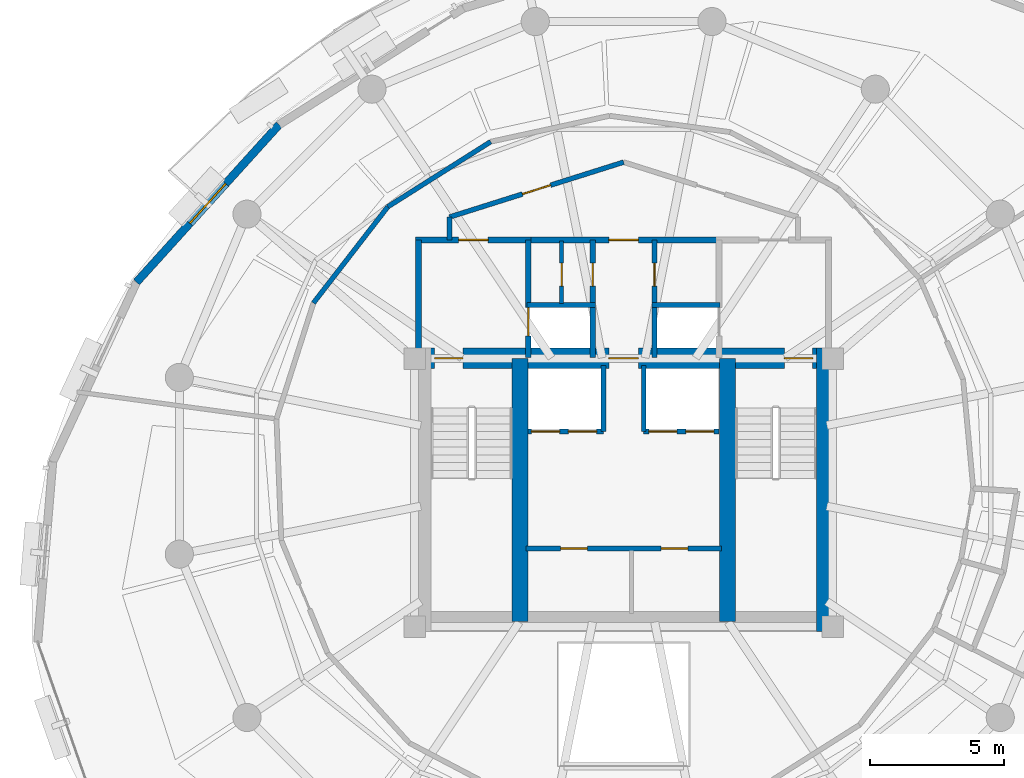
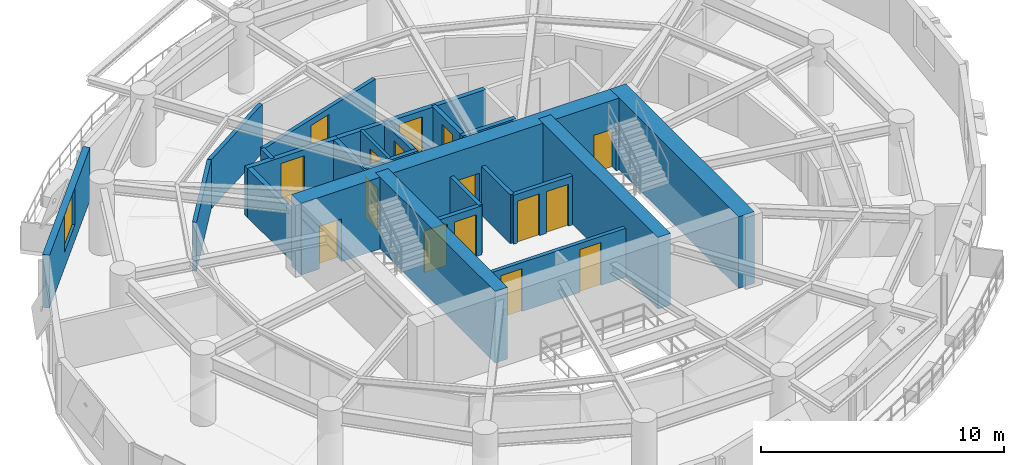
# One storey, part 8 of 12: 23 walls, 16 doors, 1 window, 17 openings.
"""IFC4 building model written with IfcOpenShell, lengths in metres."""

import ifcopenshell
import ifcopenshell.guid

model = None  # the IFC model being written
_history = None  # IfcOwnerHistory: only IFC2X3 demands one
_inside = {}  # id of a spatial element -> (the spatial element, [elements in it])
_under = {}  # id of a project, library or spatial element -> (it, [spatial elements below it])
_declared = {}  # id of a project -> (the project, [libraries it declares])
_typed = {}  # id of a type object -> (the type object, [elements of that type])
_made_of = {}  # id of a material, layer set ... -> (it, [elements and type objects made of it])


def new_model(schema):
    """Start an empty IFC model of exactly this schema.

    Asked for "IFC4X3", IfcOpenShell would pick the latest addendum, in which some entities
    have other attributes; the version numbers below select the first issue.
    IFC2X3 requires an IfcOwnerHistory on every rooted entity: one is made here for all.
    """
    global model, _history
    if schema == "IFC4X3":
        model = ifcopenshell.file(schema_version=(4, 3, 0, 0))
    else:
        model = ifcopenshell.file(schema=schema)
    _inside.clear()
    _under.clear()
    _declared.clear()
    _typed.clear()
    _made_of.clear()
    _history = None
    if model.schema == "IFC2X3":
        org = make("IfcOrganization", Name="unknown")
        user = make(
            "IfcPersonAndOrganization",
            ThePerson=make("IfcPerson", FamilyName="unknown"),
            TheOrganization=org,
        )
        app = make(
            "IfcApplication",
            ApplicationDeveloper=org,
            Version="unknown",
            ApplicationFullName="unknown",
            ApplicationIdentifier="unknown",
        )
        _history = make(
            "IfcOwnerHistory",
            OwningUser=user,
            OwningApplication=app,
            ChangeAction="ADDED",
            CreationDate=0,
        )
    return model


def make(cls, **values):
    """One entity of the class cls with the attributes given. An attribute that is None is left unset."""
    return model.create_entity(
        cls, **{name: value for name, value in values.items() if value is not None}
    )


def rooted(cls, **values):
    """An entity with a GlobalId (a new one), such as an element, a storey or a relation."""
    return make(cls, GlobalId=ifcopenshell.guid.new(), OwnerHistory=_history, **values)


def si_unit(unit_type, name, prefix=None):
    """IfcSIUnit, for example si_unit("LENGTHUNIT", "METRE", prefix="MILLI")."""
    return make("IfcSIUnit", UnitType=unit_type, Prefix=prefix, Name=name)


def assignment(units):
    """IfcUnitAssignment: the units of a project."""
    return None if units is None else make("IfcUnitAssignment", Units=units)


def point(xyz):
    """IfcCartesianPoint."""
    return None if xyz is None else make("IfcCartesianPoint", Coordinates=xyz)


def direction(xyz):
    """IfcDirection."""
    return None if xyz is None else make("IfcDirection", DirectionRatios=xyz)


def frame(location, z_axis=None, x_axis=None):
    """IfcAxis2Placement3D, a coordinate frame: its origin and axes. An axis left out is left unset."""
    return make(
        "IfcAxis2Placement3D",
        Location=point(location),
        Axis=direction(z_axis),
        RefDirection=direction(x_axis),
    )


def frame_2d(location, x_axis=None):
    """IfcAxis2Placement2D, a coordinate frame in the plane: its origin and x axis."""
    return make(
        "IfcAxis2Placement2D", Location=point(location), RefDirection=direction(x_axis)
    )


def origin():
    """The frame at (0, 0, 0) with its axes left unset."""
    return frame((0.0, 0.0, 0.0))


def place(relative_to, where):
    """IfcLocalPlacement: puts the frame where relative to a parent placement (None: the world)."""
    return make(
        "IfcLocalPlacement", PlacementRelTo=relative_to, RelativePlacement=where
    )


def context(
    kind, dimensions, precision=None, world=None, true_north=None, identifier=None
):
    """IfcGeometricRepresentationContext, for example the 3D "Model" context."""
    return make(
        "IfcGeometricRepresentationContext",
        ContextIdentifier=identifier,
        ContextType=kind,
        CoordinateSpaceDimension=dimensions,
        Precision=precision,
        WorldCoordinateSystem=world,
        TrueNorth=true_north,
    )


def subcontext(parent, identifier, kind, view, scale=None):
    """IfcGeometricRepresentationSubContext, for example "Body" below "Model"."""
    return make(
        "IfcGeometricRepresentationSubContext",
        ContextIdentifier=identifier,
        ContextType=kind,
        ParentContext=parent,
        TargetScale=scale,
        TargetView=view,
    )


def project(units=None, contexts=None):
    """IfcProject with its units and contexts."""
    return rooted(
        "IfcProject",
        Name="project",
        RepresentationContexts=contexts,
        UnitsInContext=assignment(units),
    )


def spatial(cls, under=None, at=None, **own):
    """A site, building, storey or space (cls), placed at a placement, below another one or the project."""
    s = rooted(cls, ObjectPlacement=at, **own)
    if under is not None:
        _under.setdefault(under.id(), (under, []))[1].append(s)
    return s


def profile(cls, at=None, kind="AREA", **sizes):
    """A parametric profile (cls). Its sizes go by their IFC names, for example OverallWidth=200.0."""
    return make(cls, ProfileType=kind, Position=at, **sizes)


def rectangle(**sizes):
    """IfcRectangleProfileDef."""
    return profile("IfcRectangleProfileDef", **sizes)


def extrude(swept, where, along, depth):
    """IfcExtrudedAreaSolid: the profile swept, set in the frame where, extruded along a direction by depth."""
    return make(
        "IfcExtrudedAreaSolid",
        SweptArea=swept,
        Position=where,
        ExtrudedDirection=direction(along),
        Depth=depth,
    )


def shape(context_of_items, identifier, shape_type, items):
    """IfcShapeRepresentation: the items that make up one representation, for example the "Body"."""
    return make(
        "IfcShapeRepresentation",
        ContextOfItems=context_of_items,
        RepresentationIdentifier=identifier,
        RepresentationType=shape_type,
        Items=items,
    )


def material(Name=None, Category=None):
    """IfcMaterial."""
    return make("IfcMaterial", Name=Name, Category=Category)


def layer(
    of_material, thickness, ventilated=None, Name=None, Category=None, Priority=None
):
    """IfcMaterialLayer: one layer of a wall or slab, of a material (None: an air gap)."""
    return make(
        "IfcMaterialLayer",
        Material=of_material,
        LayerThickness=thickness,
        IsVentilated=ventilated,
        Name=Name,
        Category=Category,
        Priority=Priority,
    )


def layer_set(layers, Name=None):
    """IfcMaterialLayerSet."""
    return make("IfcMaterialLayerSet", MaterialLayers=layers, LayerSetName=Name)


def made_of(thing, what):
    """Note that an element or type object is made of a material, layer set ...; save() writes the relation."""
    if what is not None:
        _made_of.setdefault(what.id(), (what, []))[1].append(thing)
    return thing


def type_object(cls, material=None, **own):
    """A type object (cls), such as IfcWallType, which elements share."""
    return made_of(rooted(cls, **own), material)


def element(
    cls,
    number,
    at=None,
    inside=None,
    cuts=None,
    type_object=None,
    material=None,
    context=None,
    identifier="Body",
    shape_type=None,
    held_by="IfcProductDefinitionShape",
    body=None,
    shapes=None,
    **own,
):
    """One element of the class cls, such as IfcWall. Its Tag is "e" and its number.

    at: its placement. inside: the storey or other place that contains it. cuts: it is an
    opening in that element (IfcRelVoidsElement). A single representation is given by context,
    identifier, shape_type and body (its items); several are given by shapes. held_by: the class
    of the entity that holds the representations. save() writes the other relations.
    """
    e = rooted(cls, Tag="e%d" % number, ObjectPlacement=at, **own)
    if body is not None:
        shapes = [shape(context, identifier, shape_type, body)]
    if shapes is not None:
        e.Representation = make(held_by, Representations=shapes)
    if inside is not None:
        _inside.setdefault(inside.id(), (inside, []))[1].append(e)
    if cuts is not None:
        rooted(
            "IfcRelVoidsElement", RelatingBuildingElement=cuts, RelatedOpeningElement=e
        )
    if type_object is not None:
        _typed.setdefault(type_object.id(), (type_object, []))[1].append(e)
    return made_of(e, material)


def fill(opening, filler):
    """IfcRelFillsElement: the door or window that sits in an opening."""
    return rooted(
        "IfcRelFillsElement",
        RelatingOpeningElement=opening,
        RelatedBuildingElement=filler,
    )


def aggregate(whole, parts):
    """IfcRelAggregates: a whole, such as a stair, and the parts it consists of."""
    return rooted("IfcRelAggregates", RelatingObject=whole, RelatedObjects=parts)


def save(model, path):
    """Write the relations noted so far, then the file.

    IfcRelAggregates (storeys below a building ...), IfcRelContainedInSpatialStructure (elements
    in a storey), IfcRelDefinesByType, IfcRelAssociatesMaterial and IfcRelDeclares: one each for
    every whole, place, type object, material and project.
    """
    for whole, parts in _under.values():
        aggregate(whole, parts)
    for where, things in _inside.values():
        rooted(
            "IfcRelContainedInSpatialStructure",
            RelatedElements=things,
            RelatingStructure=where,
        )
    for kind, things in _typed.values():
        rooted("IfcRelDefinesByType", RelatedObjects=things, RelatingType=kind)
    for what, things in _made_of.values():
        rooted("IfcRelAssociatesMaterial", RelatedObjects=things, RelatingMaterial=what)
    for by, libraries in _declared.values():
        rooted("IfcRelDeclares", RelatingContext=by, RelatedDefinitions=libraries)
    model.write(path)


model = new_model("IFC4")

# Units and contexts
model_context = context("Model", 3, precision=1e-05, world=origin(), true_north=direction((0.0, 1.0)))
body_context = subcontext(model_context, "Body", "Model", "MODEL_VIEW")
ifc_project = project(units=[si_unit("LENGTHUNIT", "METRE"), si_unit("AREAUNIT", "SQUARE_METRE"), si_unit("VOLUMEUNIT", "CUBIC_METRE"), si_unit("PLANEANGLEUNIT", "RADIAN"), si_unit("MASSUNIT", "GRAM", prefix="KILO"), si_unit("THERMODYNAMICTEMPERATUREUNIT", "KELVIN"), si_unit("POWERUNIT", "WATT")], contexts=[model_context])

# Site, building, storey
site_placement = place(None, origin())
site = spatial("IfcSite", under=ifc_project, at=site_placement, CompositionType="ELEMENT")
building_placement = place(site_placement, origin())
building = spatial("IfcBuilding", under=site, at=building_placement, Name="Ocrelia Relay Tower", CompositionType="ELEMENT")
storey_placement = place(building_placement, frame((0.0, 0.0, 170.0)))
storey = spatial("IfcBuildingStorey", under=building, at=storey_placement, Name="L40", CompositionType="ELEMENT", Elevation=170.0)

# Wall, openings, doors
ifc_material_1 = material(Name="Concrete C60/75", Category="concrete")
ifc_layer_1 = layer(ifc_material_1, 0.75, Name="Concrete C60/75")
ifc_layer_set_1 = layer_set([ifc_layer_1], Name="Concrete C60/75")
wall_type_1 = type_object("IfcWallType", Name="CW-CORE-750", PredefinedType="SHEAR", material=ifc_layer_set_1)
wall_1_placement = place(storey_placement, frame((26.072021484375, 30.012939453125, 0.0), z_axis=(0.0, 0.0, 1.0), x_axis=(1.0, 0.0, 0.0)))
wall_1 = element("IfcWall", 1, at=wall_1_placement, inside=storey, type_object=wall_type_1, Name="L40 Core Shear Wall N", PredefinedType="SHEAR", context=body_context, shape_type="SweptSolid", body=[
    extrude(rectangle(XDim=15.865966796875, YDim=0.75, at=frame_2d((7.93310546875, 0.0))), origin(), (0.0, 0.0, 1.0), 3.60009765625),
])
opening_1_placement = place(wall_1_placement, frame((0.8779296875, 0.0, 0.0)))
opening_1 = element("IfcOpeningElement", 2, at=opening_1_placement, cuts=wall_1, Name="Opening D-FD90", PredefinedType="OPENING", context=body_context, shape_type="SweptSolid", body=[
    extrude(rectangle(XDim=1.050048828125, YDim=2.14990234375, at=frame_2d((0.52490234375, 1.074951171875))), frame((0.0, 0.385009765625, 0.0), z_axis=(0.0, -1.0, 0.0), x_axis=(1.0, 0.0, 0.0)), (0.0, 0.0, 1.0), 0.77001953125),
])
opening_2_placement = place(wall_1_placement, frame((13.927978515625, 0.0, 0.0)))
opening_2 = element("IfcOpeningElement", 3, at=opening_2_placement, cuts=wall_1, Name="Opening D-FD90", PredefinedType="OPENING", context=body_context, shape_type="SweptSolid", body=[
    extrude(rectangle(XDim=1.050048828125, YDim=2.14990234375, at=frame_2d((0.52490234375, 1.074951171875))), frame((0.0, 0.385009765625, 0.0), z_axis=(0.0, -1.0, 0.0), x_axis=(1.0, 0.0, 0.0)), (0.0, 0.0, 1.0), 0.77001953125),
])
opening_3_placement = place(wall_1_placement, frame((7.3779296875, 0.0, 0.0)))
opening_3 = element("IfcOpeningElement", 4, at=opening_3_placement, cuts=wall_1, Name="Opening D-FD60", PredefinedType="OPENING", context=body_context, shape_type="SweptSolid", body=[
    extrude(rectangle(XDim=1.10009765625, YDim=2.14990234375, at=frame_2d((0.550048828125, 1.074951171875))), frame((0.0, 0.385009765625, 0.0), z_axis=(0.0, -1.0, 0.0), x_axis=(1.0, 0.0, 0.0)), (0.0, 0.0, 1.0), 0.77001953125),
])
ifc_material_2 = material(Name="Timber-core 60-min acoustic fire door", Category="wood")
door_type_1 = type_object("IfcDoorType", Name="DR-LOBBY-FD60-1100", OperationType="NOTDEFINED", PredefinedType="DOOR", material=ifc_material_2)
door_1_placement = place(opening_3_placement, origin())
door_1 = element("IfcDoor", 5, at=door_1_placement, inside=storey, type_object=door_type_1, Name="L40 Core Lift Lobby North Fire Door", OperationType="SINGLE_SWING_LEFT", OverallHeight=2.14990234375, OverallWidth=1.10009765625, PredefinedType="DOOR", context=body_context, shape_type="SweptSolid", body=[
    extrude(rectangle(XDim=1.10009765625, YDim=2.14990234375, at=frame_2d((0.550048828125, 1.074951171875))), frame((0.0, 0.02490234375, 0.0), z_axis=(0.0, -1.0, 0.0), x_axis=(1.0, 0.0, 0.0)), (0.0, 0.0, 1.0), 0.050048828125),
])
fill(opening_3, door_1)
ifc_material_3 = material(Name="Steel S355 90-min fire door", Category="steel")
door_type_2 = type_object("IfcDoorType", Name="DR-STAIR-FD90-1050", OperationType="NOTDEFINED", PredefinedType="DOOR", material=ifc_material_3)
door_2_placement = place(opening_1_placement, origin())
door_2 = element("IfcDoor", 6, at=door_2_placement, inside=storey, type_object=door_type_2, Name="L40 Stair ST1 Fire Door", OperationType="SINGLE_SWING_LEFT", OverallHeight=2.14990234375, OverallWidth=1.050048828125, PredefinedType="DOOR", context=body_context, shape_type="SweptSolid", body=[
    extrude(rectangle(XDim=1.050048828125, YDim=2.14990234375, at=frame_2d((0.52490234375, 1.074951171875))), frame((0.0, 0.02490234375, 0.0), z_axis=(0.0, -1.0, 0.0), x_axis=(1.0, 0.0, 0.0)), (0.0, 0.0, 1.0), 0.050048828125),
])
fill(opening_1, door_2)
door_3_placement = place(opening_2_placement, origin())
door_3 = element("IfcDoor", 7, at=door_3_placement, inside=storey, type_object=door_type_2, Name="L40 Stair ST2 Fire Door", OperationType="SINGLE_SWING_RIGHT", OverallHeight=2.14990234375, OverallWidth=1.050048828125, PredefinedType="DOOR", context=body_context, shape_type="SweptSolid", body=[
    extrude(rectangle(XDim=1.050048828125, YDim=2.14990234375, at=frame_2d((0.52490234375, 1.074951171875))), frame((0.0, 0.02490234375, 0.0), z_axis=(0.0, -1.0, 0.0), x_axis=(1.0, 0.0, 0.0)), (0.0, 0.0, 1.0), 0.050048828125),
])
fill(opening_2, door_3)

# Walls
wall_2_placement = place(storey_placement, frame((41.56298828125, 19.81201171875, 0.0), z_axis=(0.0, 0.0, 1.0), x_axis=(0.0, 1.0, 0.0)))
element("IfcWall", 8, at=wall_2_placement, inside=storey, type_object=wall_type_1, Name="L40 Core Shear Wall E", PredefinedType="SHEAR", context=body_context, shape_type="SweptSolid", body=[
    extrude(rectangle(XDim=10.575927734375, YDim=0.75, at=frame_2d((5.2880859375, 0.0))), origin(), (0.0, 0.0, 1.0), 3.60009765625),
])
for number, where, z_axis, x_axis, name in (
    (9, (30.137939453125, 20.18701171875, 0.0), (0.0, 0.0, 1.0), (0.0, 1.0, 0.0), "L40 Core Shear Wall SPW"),
    (10, (37.8720703125, 20.18701171875, 0.0), (0.0, 0.0, 1.0), (0.0, 1.0, 0.0), "L40 Core Shear Wall SPE"),
):
    element("IfcWall", number, at=place(storey_placement, frame(where, z_axis=z_axis, x_axis=x_axis)), inside=storey, type_object=wall_type_1, Name=name, PredefinedType="SHEAR", context=body_context, shape_type="SweptSolid", body=[
        extrude(rectangle(XDim=9.825927734375, YDim=0.60009765625, at=frame_2d((4.9130859375, 0.0))), origin(), (0.0, 0.0, 1.0), 3.60009765625),
    ])

# Wall, openings, doors
ifc_material_4 = material(Name="Gypsum Fireboard Partition EI60", Category="gypsum")
ifc_layer_2 = layer(ifc_material_4, 0.179931640625, Name="Gypsum Fireboard Partition EI60")
ifc_layer_set_2 = layer_set([ifc_layer_2], Name="Gypsum Fireboard Partition EI60")
wall_type_2 = type_object("IfcWallType", Name="W-CORR-EI60-180", PredefinedType="PARTITIONING", material=ifc_layer_set_2)
wall_3_placement = place(storey_placement, frame((30.35009765625, 22.919921875, 0.0), z_axis=(0.0, 0.0, 1.0), x_axis=(1.0, 0.0, 0.0)))
wall_3 = element("IfcWall", 11, at=wall_3_placement, inside=storey, type_object=wall_type_2, Name="L40 Reclaimed Core Room Partition", PredefinedType="PARTITIONING", context=body_context, shape_type="SweptSolid", body=[
    extrude(rectangle(XDim=7.2998046875, YDim=0.179931640625, at=frame_2d((3.64990234375, 0.0))), origin(), (0.0, 0.0, 1.0), 2.4599609375),
])
opening_4_placement = place(wall_3_placement, frame((1.300048828125, 0.0, 0.0)))
opening_4 = element("IfcOpeningElement", 12, at=opening_4_placement, cuts=wall_3, Name="Opening D-RM100", PredefinedType="OPENING", context=body_context, shape_type="SweptSolid", body=[
    extrude(rectangle(XDim=1.0, YDim=2.14990234375, at=frame_2d((0.5, 1.074951171875))), frame((0.0, 0.10009765625, 0.0), z_axis=(0.0, -1.0, 0.0), x_axis=(1.0, 0.0, 0.0)), (0.0, 0.0, 1.0), 0.199951171875),
])
opening_5_placement = place(wall_3_placement, frame((5.050048828125, 0.0, 0.0)))
opening_5 = element("IfcOpeningElement", 13, at=opening_5_placement, cuts=wall_3, Name="Opening D-RM100", PredefinedType="OPENING", context=body_context, shape_type="SweptSolid", body=[
    extrude(rectangle(XDim=1.0, YDim=2.14990234375, at=frame_2d((0.5, 1.074951171875))), frame((0.0, 0.10009765625, 0.0), z_axis=(0.0, -1.0, 0.0), x_axis=(1.0, 0.0, 0.0)), (0.0, 0.0, 1.0), 0.199951171875),
])
ifc_material_5 = material(Name="Acoustic oak veneer fire door", Category="wood")
door_type_3 = type_object("IfcDoorType", Name="DR-ROOM-FD60-1000", OperationType="NOTDEFINED", PredefinedType="DOOR", material=ifc_material_5)
door_4_placement = place(opening_4_placement, origin())
door_4 = element("IfcDoor", 14, at=door_4_placement, inside=storey, type_object=door_type_3, Name="L40 Reclaimed Core Room 1 Door", OperationType="SINGLE_SWING_RIGHT", OverallHeight=2.14990234375, OverallWidth=1.0, PredefinedType="DOOR", context=body_context, shape_type="SweptSolid", body=[
    extrude(rectangle(XDim=1.0, YDim=2.14990234375, at=frame_2d((0.5, 1.074951171875))), frame((0.0, 0.02490234375, 0.0), z_axis=(0.0, -1.0, 0.0), x_axis=(1.0, 0.0, 0.0)), (0.0, 0.0, 1.0), 0.050048828125),
])
fill(opening_4, door_4)
door_5_placement = place(opening_5_placement, origin())
door_5 = element("IfcDoor", 15, at=door_5_placement, inside=storey, type_object=door_type_3, Name="L40 Reclaimed Core Room 2 Door", OperationType="SINGLE_SWING_LEFT", OverallHeight=2.14990234375, OverallWidth=1.0, PredefinedType="DOOR", context=body_context, shape_type="SweptSolid", body=[
    extrude(rectangle(XDim=1.0, YDim=2.14990234375, at=frame_2d((0.5, 1.074951171875))), frame((0.0, 0.02490234375, 0.0), z_axis=(0.0, -1.0, 0.0), x_axis=(1.0, 0.0, 0.0)), (0.0, 0.0, 1.0), 0.050048828125),
])
fill(opening_5, door_5)

# Wall
wall_4_placement = place(storey_placement, frame((27.5, 34.429931640625, 0.0), z_axis=(0.0, 0.0, 1.0), x_axis=(0.0, 1.0, 0.0)))
element("IfcWall", 16, at=wall_4_placement, inside=storey, type_object=wall_type_2, Name="L40 Smoke Lobby West Return", PredefinedType="PARTITIONING", context=body_context, shape_type="SweptSolid", body=[
    extrude(rectangle(XDim=0.85009765625, YDim=0.179931640625, at=frame_2d((0.425048828125, 0.0))), origin(), (0.0, 0.0, 1.0), 2.4599609375),
])

# Wall, opening, door
wall_5_placement = place(storey_placement, frame((27.5, 35.280029296875, 0.0), z_axis=(0.0, 0.0, 1.0), x_axis=(0.953691418528, 0.300786765376, 0.0)))
wall_5 = element("IfcWall", 17, at=wall_5_placement, inside=storey, type_object=wall_type_2, Name="L40 North Smoke Lobby W Screen Wall", PredefinedType="PARTITIONING", context=body_context, shape_type="SweptSolid", body=[
    extrude(rectangle(XDim=6.815673828125, YDim=0.179931640625, at=frame_2d((3.40771484375, 0.0))), origin(), (0.0, 0.0, 1.0), 2.4599609375),
])
opening_6_placement = place(wall_5_placement, frame((2.85791015625, 0.0, 0.0)))
opening_6 = element("IfcOpeningElement", 18, at=opening_6_placement, cuts=wall_5, Name="Opening D-FD60", PredefinedType="OPENING", context=body_context, shape_type="SweptSolid", body=[
    extrude(rectangle(XDim=1.10009765625, YDim=2.14990234375, at=frame_2d((0.550048828125, 1.074951171875))), frame((0.0, 0.10009765625, 0.0), z_axis=(0.0, -1.0, 0.0), x_axis=(1.0, 0.0, 0.0)), (0.0, 0.0, 1.0), 0.199951171875),
])
door_6_placement = place(opening_6_placement, origin())
door_6 = element("IfcDoor", 19, at=door_6_placement, inside=storey, type_object=door_type_1, Name="L40 North Smoke Lobby W Fire Door", OperationType="SINGLE_SWING_RIGHT", OverallHeight=2.14990234375, OverallWidth=1.10009765625, PredefinedType="DOOR", context=body_context, shape_type="SweptSolid", body=[
    extrude(rectangle(XDim=1.10009765625, YDim=2.14990234375, at=frame_2d((0.550048828125, 1.074951171875))), frame((0.0, 0.02490234375, 0.0), z_axis=(0.0, -1.0, 0.0), x_axis=(1.0, 0.0, 0.0)), (0.0, 0.0, 1.0), 0.050048828125),
])
fill(opening_6, door_6)

# Walls
wall_6_placement = place(storey_placement, frame((29.04052734375, 38.092529296875, 0.0), z_axis=(0.0, 0.0, 1.0), x_axis=(-0.845267730812, -0.53434302021, 0.0)))
element("IfcWall", 20, at=wall_6_placement, inside=storey, type_object=wall_type_2, Name="L40 Cloud Engineering Workspace Corridor Partition 5", PredefinedType="PARTITIONING", context=body_context, shape_type="SweptSolid", body=[
    extrude(rectangle(XDim=4.539306640625, YDim=0.179931640625, at=frame_2d((2.26953125, 0.0))), origin(), (0.0, 0.0, 1.0), 2.4599609375),
])
wall_7_placement = place(storey_placement, frame((25.20361328125, 35.6669921875, 0.0), z_axis=(0.0, 0.0, 1.0), x_axis=(-0.611494954268, -0.791248330744, 0.0)))
element("IfcWall", 21, at=wall_7_placement, inside=storey, type_object=wall_type_2, Name="L40 Cloud Engineering Workspace Corridor Partition 6", PredefinedType="PARTITIONING", context=body_context, shape_type="SweptSolid", body=[
    extrude(rectangle(XDim=4.5390625, YDim=0.179931640625, at=frame_2d((2.26953125, 0.0))), origin(), (0.0, 0.0, 1.0), 2.4599609375),
])

# Wall, opening, window
ifc_material_6 = material(Name="Precast concrete C40/50 with oxide terracotta", Category="masonry")
ifc_layer_3 = layer(ifc_material_6, 0.300048828125, Name="Precast concrete C40/50 with oxide terracotta")
ifc_layer_set_3 = layer_set([ifc_layer_3], Name="Precast concrete C40/50 with oxide terracotta")
wall_type_3 = type_object("IfcWallType", Name="W-EXT-TERR-300", PredefinedType="SOLIDWALL", material=ifc_layer_set_3)
wall_8_placement = place(storey_placement, frame((21.145751953125, 38.72900390625, 0.0), z_axis=(0.0, 0.0, 1.0), x_axis=(-0.670978643617, -0.741476675162, 0.0)))
wall_8 = element("IfcWall", 22, at=wall_8_placement, inside=storey, type_object=wall_type_3, Name="L40 Oxide Terracotta Facade Wall 06", PredefinedType="SOLIDWALL", context=body_context, shape_type="SweptSolid", body=[
    extrude(rectangle(XDim=7.927001953125, YDim=0.300048828125, at=frame_2d((3.96337890625, 0.0))), origin(), (0.0, 0.0, 1.0), 2.659912109375),
])
opening_7_placement = place(wall_8_placement, frame((2.964111328125, 0.0, 0.800048828125)))
opening_7 = element("IfcOpeningElement", 23, at=opening_7_placement, cuts=wall_8, Name="Opening W-03", PredefinedType="OPENING", context=body_context, shape_type="SweptSolid", body=[
    extrude(rectangle(XDim=2.0, YDim=1.85009765625, at=frame_2d((1.0, 0.925048828125))), frame((0.0, 0.16015625, 0.0), z_axis=(0.0, -1.0, 0.0), x_axis=(1.0, 0.0, 0.0)), (0.0, 0.0, 1.0), 0.320068359375),
])
ifc_material_7 = material(Name="Clear double-glazed low-E glass", Category="glass")
window_type = type_object("IfcWindowType", Name="WIN-Z3-2000x2200", PartitioningType="DOUBLE_PANEL_VERTICAL", PredefinedType="WINDOW", material=ifc_material_7)
window_placement = place(opening_7_placement, origin())
window = element("IfcWindow", 24, at=window_placement, inside=storey, type_object=window_type, Name="L40 Facade Module Window 06", OverallHeight=1.85009765625, OverallWidth=2.0, PartitioningType="SINGLE_PANEL", PredefinedType="WINDOW", context=body_context, shape_type="SweptSolid", body=[
    extrude(rectangle(XDim=2.0, YDim=1.85009765625, at=frame_2d((1.0, 0.925048828125))), frame((0.0, 0.030029296875, 0.0), z_axis=(0.0, -1.0, 0.0), x_axis=(1.0, 0.0, 0.0)), (0.0, 0.0, 1.0), 0.06005859375),
])
fill(opening_7, window)

# Wall
ifc_material_8 = material(Name="Concrete C50/60", Category="concrete")
ifc_layer_4 = layer(ifc_material_8, 0.219970703125, Name="Concrete C50/60")
ifc_layer_set_4 = layer_set([ifc_layer_4], Name="Concrete C50/60")
wall_type_4 = type_object("IfcWallType", Name="W-FFL-EI120-220", PredefinedType="SOLIDWALL", material=ifc_layer_set_4)
wall_9_placement = place(storey_placement, frame((26.35009765625, 30.050048828125, 0.0), z_axis=(0.0, 0.0, 1.0), x_axis=(0.0, 1.0, 0.0)))
element("IfcWall", 25, at=wall_9_placement, inside=storey, type_object=wall_type_4, Name="L40 W Fire Service Lift Lobby West Wall", PredefinedType="SOLIDWALL", context=body_context, shape_type="SweptSolid", body=[
    extrude(rectangle(XDim=4.3798828125, YDim=0.219970703125, at=frame_2d((2.18994140625, 0.0))), origin(), (0.0, 0.0, 1.0), 2.4599609375),
])

# Wall, opening, door
wall_10_placement = place(storey_placement, frame((30.43994140625, 30.050048828125, 0.0), z_axis=(0.0, 0.0, 1.0), x_axis=(0.0, 1.0, 0.0)))
wall_10 = element("IfcWall", 26, at=wall_10_placement, inside=storey, type_object=wall_type_4, Name="L40 W Fire Service Lift Lobby East Wall", PredefinedType="SOLIDWALL", context=body_context, shape_type="SweptSolid", body=[
    extrude(rectangle(XDim=4.3798828125, YDim=0.219970703125, at=frame_2d((2.18994140625, 0.0))), origin(), (0.0, 0.0, 1.0), 2.4599609375),
])
opening_8_placement = place(wall_10_placement, frame((0.800048828125, 0.0, 0.0)))
opening_8 = element("IfcOpeningElement", 27, at=opening_8_placement, cuts=wall_10, Name="Opening LD-FFL1", PredefinedType="OPENING", context=body_context, shape_type="SweptSolid", body=[
    extrude(rectangle(XDim=1.050048828125, YDim=2.10009765625, at=frame_2d((0.52490234375, 1.050048828125))), frame((0.0, 0.1201171875, 0.0), z_axis=(0.0, -1.0, 0.0), x_axis=(1.0, 0.0, 0.0)), (0.0, 0.0, 1.0), 0.239990234375),
])
ifc_material_9 = material(Name="Brushed stainless steel S355 lift landing door", Category="steel")
door_type_4 = type_object("IfcDoorType", Name="DR-LIFT-LAND-1050", OperationType="DOUBLE_DOOR_SLIDING", PredefinedType="USERDEFINED", material=ifc_material_9)
door_7_placement = place(opening_8_placement, origin())
door_7 = element("IfcDoor", 28, at=door_7_placement, inside=storey, type_object=door_type_4, Name="L40 Firefighting Lift FFL1 Sliding Landing Door", ObjectType="LANDING DOOR", OperationType="DOUBLE_DOOR_SLIDING", OverallHeight=2.10009765625, OverallWidth=1.050048828125, PredefinedType="USERDEFINED", context=body_context, shape_type="SweptSolid", body=[
    extrude(rectangle(XDim=1.050048828125, YDim=2.10009765625, at=frame_2d((0.52490234375, 1.050048828125))), frame((0.0, 0.02490234375, 0.0), z_axis=(0.0, -1.0, 0.0), x_axis=(1.0, 0.0, 0.0)), (0.0, 0.0, 1.0), 0.050048828125),
])
fill(opening_8, door_7)

wall_11_placement = place(storey_placement, frame((26.239990234375, 34.429931640625, 0.0), z_axis=(0.0, 0.0, 1.0), x_axis=(1.0, 0.0, 0.0)))
wall_11 = element("IfcWall", 29, at=wall_11_placement, inside=storey, type_object=wall_type_4, Name="L40 W Fire Service Lift Lobby North Wall", PredefinedType="SOLIDWALL", context=body_context, shape_type="SweptSolid", body=[
    extrude(rectangle(XDim=4.31005859375, YDim=0.219970703125, at=frame_2d((2.155029296875, 0.0))), origin(), (0.0, 0.0, 1.0), 2.4599609375),
])
opening_9_placement = place(wall_11_placement, frame((1.60009765625, 0.0, 0.0)))
opening_9 = element("IfcOpeningElement", 30, at=opening_9_placement, cuts=wall_11, Name="Opening D-FD60", PredefinedType="OPENING", context=body_context, shape_type="SweptSolid", body=[
    extrude(rectangle(XDim=1.10009765625, YDim=2.14990234375, at=frame_2d((0.550048828125, 1.074951171875))), frame((0.0, 0.1201171875, 0.0), z_axis=(0.0, -1.0, 0.0), x_axis=(1.0, 0.0, 0.0)), (0.0, 0.0, 1.0), 0.239990234375),
])
door_8_placement = place(opening_9_placement, origin())
door_8 = element("IfcDoor", 31, at=door_8_placement, inside=storey, type_object=door_type_1, Name="L40 W Fire Service Lift Lobby Exit Door", OperationType="SINGLE_SWING_RIGHT", OverallHeight=2.14990234375, OverallWidth=1.10009765625, PredefinedType="DOOR", context=body_context, shape_type="SweptSolid", body=[
    extrude(rectangle(XDim=1.10009765625, YDim=2.14990234375, at=frame_2d((0.550048828125, 1.074951171875))), frame((0.0, 0.02490234375, 0.0), z_axis=(0.0, -1.0, 0.0), x_axis=(1.0, 0.0, 0.0)), (0.0, 0.0, 1.0), 0.050048828125),
])
fill(opening_9, door_8)

wall_12_placement = place(storey_placement, frame((30.43994140625, 34.429931640625, 0.0), z_axis=(0.0, 0.0, 1.0), x_axis=(1.0, 0.0, 0.0)))
wall_12 = element("IfcWall", 32, at=wall_12_placement, inside=storey, type_object=wall_type_4, Name="L40 North Core Vestibule Wall", PredefinedType="SOLIDWALL", context=body_context, shape_type="SweptSolid", body=[
    extrude(rectangle(XDim=7.1201171875, YDim=0.219970703125, at=frame_2d((3.56005859375, 0.0))), origin(), (0.0, 0.0, 1.0), 2.4599609375),
])
opening_10_placement = place(wall_12_placement, frame((3.010009765625, 0.0, 0.0)))
opening_10 = element("IfcOpeningElement", 33, at=opening_10_placement, cuts=wall_12, Name="Opening D-FD60", PredefinedType="OPENING", context=body_context, shape_type="SweptSolid", body=[
    extrude(rectangle(XDim=1.10009765625, YDim=2.14990234375, at=frame_2d((0.550048828125, 1.074951171875))), frame((0.0, 0.1201171875, 0.0), z_axis=(0.0, -1.0, 0.0), x_axis=(1.0, 0.0, 0.0)), (0.0, 0.0, 1.0), 0.239990234375),
])
door_9_placement = place(opening_10_placement, origin())
door_9 = element("IfcDoor", 34, at=door_9_placement, inside=storey, type_object=door_type_1, Name="L40 North Core Vestibule Corridor Door", OperationType="SINGLE_SWING_RIGHT", OverallHeight=2.14990234375, OverallWidth=1.10009765625, PredefinedType="DOOR", context=body_context, shape_type="SweptSolid", body=[
    extrude(rectangle(XDim=1.10009765625, YDim=2.14990234375, at=frame_2d((0.550048828125, 1.074951171875))), frame((0.0, 0.02490234375, 0.0), z_axis=(0.0, -1.0, 0.0), x_axis=(1.0, 0.0, 0.0)), (0.0, 0.0, 1.0), 0.050048828125),
])
fill(opening_10, door_9)

ifc_material_10 = material(Name="Acoustic Fireboard Partition EI60", Category="gypsum")
ifc_layer_5 = layer(ifc_material_10, 0.14990234375, Name="Acoustic Fireboard Partition EI60")
ifc_layer_set_5 = layer_set([ifc_layer_5], Name="Acoustic Fireboard Partition EI60")
wall_type_5 = type_object("IfcWallType", Name="W-PART-150", PredefinedType="PARTITIONING", material=ifc_layer_set_5)
wall_13_placement = place(storey_placement, frame((31.68994140625, 32.050048828125, 0.0), z_axis=(0.0, 0.0, 1.0), x_axis=(0.0, 1.0, 0.0)))
wall_13 = element("IfcWall", 35, at=wall_13_placement, inside=storey, type_object=wall_type_5, Name="L40 West Core Support Partition", PredefinedType="PARTITIONING", context=body_context, shape_type="SweptSolid", body=[
    extrude(rectangle(XDim=2.329833984375, YDim=0.14990234375, at=frame_2d((1.1650390625, 0.0))), origin(), (0.0, 0.0, 1.0), 2.4599609375),
])
opening_11_placement = place(wall_13_placement, frame((0.64990234375, 0.0, 0.0)))
opening_11 = element("IfcOpeningElement", 36, at=opening_11_placement, cuts=wall_13, Name="Opening D-RS86", PredefinedType="OPENING", context=body_context, shape_type="SweptSolid", body=[
    extrude(rectangle(XDim=0.860107421875, YDim=2.050048828125, at=frame_2d((0.43017578125, 1.02490234375))), frame((0.0, 0.0849609375, 0.0), z_axis=(0.0, -1.0, 0.0), x_axis=(1.0, 0.0, 0.0)), (0.0, 0.0, 1.0), 0.169921875),
])
ifc_material_11 = material(Name="Steel S355 riser access fire door", Category="steel")
door_type_5 = type_object("IfcDoorType", Name="DR-RISER-TRAP-860", OperationType="NOTDEFINED", PredefinedType="TRAPDOOR", material=ifc_material_11)
door_10_placement = place(opening_11_placement, origin())
door_10 = element("IfcDoor", 37, at=door_10_placement, inside=storey, type_object=door_type_5, Name="L40 West Core Store Connecting Door", OperationType="SINGLE_SWING_LEFT", OverallHeight=2.050048828125, OverallWidth=0.860107421875, PredefinedType="TRAPDOOR", context=body_context, shape_type="SweptSolid", body=[
    extrude(rectangle(XDim=0.860107421875, YDim=2.050048828125, at=frame_2d((0.43017578125, 1.02490234375))), frame((0.0, 0.02490234375, 0.0), z_axis=(0.0, -1.0, 0.0), x_axis=(1.0, 0.0, 0.0)), (0.0, 0.0, 1.0), 0.050048828125),
])
fill(opening_11, door_10)

# Wall
ifc_layer_6 = layer(ifc_material_8, 0.199951171875, Name="Concrete C50/60")
ifc_layer_set_6 = layer_set([ifc_layer_6], Name="Concrete C50/60")
wall_type_6 = type_object("IfcWallType", Name="W-SHAFT-EI120-200", PredefinedType="SOLIDWALL", material=ifc_layer_set_6)
wall_14_placement = place(storey_placement, frame((30.39990234375, 32.0, 0.0), z_axis=(0.0, 0.0, 1.0), x_axis=(1.0, 0.0, 0.0)))
element("IfcWall", 38, at=wall_14_placement, inside=storey, type_object=wall_type_6, Name="L40 FFL1 Hoistway North Wall", PredefinedType="SOLIDWALL", context=body_context, shape_type="SweptSolid", body=[
    extrude(rectangle(XDim=2.550048828125, YDim=0.199951171875, at=frame_2d((1.27490234375, 0.0))), origin(), (0.0, 0.0, 1.0), 2.4599609375),
])

# Wall, opening, door
wall_15_placement = place(storey_placement, frame((32.85009765625, 30.050048828125, 0.0), z_axis=(0.0, 0.0, 1.0), x_axis=(0.0, 1.0, 0.0)))
wall_15 = element("IfcWall", 39, at=wall_15_placement, inside=storey, type_object=wall_type_6, Name="L40 FFL1 and Service Vestibule Wall", PredefinedType="SOLIDWALL", context=body_context, shape_type="SweptSolid", body=[
    extrude(rectangle(XDim=4.3798828125, YDim=0.199951171875, at=frame_2d((2.18994140625, 0.0))), origin(), (0.0, 0.0, 1.0), 2.4599609375),
])
opening_12_placement = place(wall_15_placement, frame((2.64990234375, 0.0, 0.0)))
opening_12 = element("IfcOpeningElement", 40, at=opening_12_placement, cuts=wall_15, Name="Opening D-RS86", PredefinedType="OPENING", context=body_context, shape_type="SweptSolid", body=[
    extrude(rectangle(XDim=0.860107421875, YDim=2.050048828125, at=frame_2d((0.43017578125, 1.02490234375))), frame((0.0, 0.10986328125, 0.0), z_axis=(0.0, -1.0, 0.0), x_axis=(1.0, 0.0, 0.0)), (0.0, 0.0, 1.0), 0.219970703125),
])
door_11_placement = place(opening_12_placement, origin())
door_11 = element("IfcDoor", 41, at=door_11_placement, inside=storey, type_object=door_type_5, Name="L40 Core Support Room W Door", OperationType="SINGLE_SWING_LEFT", OverallHeight=2.050048828125, OverallWidth=0.860107421875, PredefinedType="TRAPDOOR", context=body_context, shape_type="SweptSolid", body=[
    extrude(rectangle(XDim=0.860107421875, YDim=2.050048828125, at=frame_2d((0.43017578125, 1.02490234375))), frame((0.0, 0.02490234375, 0.0), z_axis=(0.0, -1.0, 0.0), x_axis=(1.0, 0.0, 0.0)), (0.0, 0.0, 1.0), 0.050048828125),
])
fill(opening_12, door_11)

# Wall
wall_16_placement = place(storey_placement, frame((35.050048828125, 32.0, 0.0), z_axis=(0.0, 0.0, 1.0), x_axis=(1.0, 0.0, 0.0)))
element("IfcWall", 42, at=wall_16_placement, inside=storey, type_object=wall_type_6, Name="L40 FFL2 Hoistway North Wall", PredefinedType="SOLIDWALL", context=body_context, shape_type="SweptSolid", body=[
    extrude(rectangle(XDim=2.550048828125, YDim=0.199951171875, at=frame_2d((1.27490234375, 0.0))), origin(), (0.0, 0.0, 1.0), 2.4599609375),
])

# Wall, opening, door
wall_17_placement = place(storey_placement, frame((35.14990234375, 30.050048828125, 0.0), z_axis=(0.0, 0.0, 1.0), x_axis=(0.0, 1.0, 0.0)))
wall_17 = element("IfcWall", 43, at=wall_17_placement, inside=storey, type_object=wall_type_6, Name="L40 FFL2 and Service Vestibule Wall", PredefinedType="SOLIDWALL", context=body_context, shape_type="SweptSolid", body=[
    extrude(rectangle(XDim=4.3798828125, YDim=0.199951171875, at=frame_2d((2.18994140625, 0.0))), origin(), (0.0, 0.0, 1.0), 2.4599609375),
])
opening_13_placement = place(wall_17_placement, frame((2.64990234375, 0.0, 0.0)))
opening_13 = element("IfcOpeningElement", 44, at=opening_13_placement, cuts=wall_17, Name="Opening D-RS86", PredefinedType="OPENING", context=body_context, shape_type="SweptSolid", body=[
    extrude(rectangle(XDim=0.860107421875, YDim=2.050048828125, at=frame_2d((0.43017578125, 1.02490234375))), frame((0.0, 0.10986328125, 0.0), z_axis=(0.0, -1.0, 0.0), x_axis=(1.0, 0.0, 0.0)), (0.0, 0.0, 1.0), 0.219970703125),
])
door_12_placement = place(opening_13_placement, origin())
door_12 = element("IfcDoor", 45, at=door_12_placement, inside=storey, type_object=door_type_5, Name="L40 Core Support Room E Door", OperationType="SINGLE_SWING_LEFT", OverallHeight=2.050048828125, OverallWidth=0.860107421875, PredefinedType="TRAPDOOR", context=body_context, shape_type="SweptSolid", body=[
    extrude(rectangle(XDim=0.860107421875, YDim=2.050048828125, at=frame_2d((0.43017578125, 1.02490234375))), frame((0.0, 0.02490234375, 0.0), z_axis=(0.0, -1.0, 0.0), x_axis=(1.0, 0.0, 0.0)), (0.0, 0.0, 1.0), 0.050048828125),
])
fill(opening_13, door_12)

# Wall, openings, doors
wall_18_placement = place(storey_placement, frame((30.43994140625, 27.280029296875, 0.0), z_axis=(0.0, 0.0, 1.0), x_axis=(1.0, 0.0, 0.0)))
wall_18 = element("IfcWall", 46, at=wall_18_placement, inside=storey, type_object=wall_type_6, Name="L40 High-Rise Lift Hoistway Wall W", PredefinedType="SOLIDWALL", context=body_context, shape_type="SweptSolid", body=[
    extrude(rectangle(XDim=2.81005859375, YDim=0.199951171875, at=frame_2d((1.405029296875, 0.0))), origin(), (0.0, 0.0, 1.0), 2.4599609375),
])
opening_14_placement = place(wall_18_placement, frame((0.1201171875, 0.0, 0.0)))
opening_14 = element("IfcOpeningElement", 47, at=opening_14_placement, cuts=wall_18, Name="Opening LD-PL5", PredefinedType="OPENING", context=body_context, shape_type="SweptSolid", body=[
    extrude(rectangle(XDim=1.050048828125, YDim=2.10009765625, at=frame_2d((0.52490234375, 1.050048828125))), frame((0.0, 0.10986328125, 0.0), z_axis=(0.0, -1.0, 0.0), x_axis=(1.0, 0.0, 0.0)), (0.0, 0.0, 1.0), 0.219970703125),
])
opening_15_placement = place(wall_18_placement, frame((1.5, 0.0, 0.0)))
opening_15 = element("IfcOpeningElement", 48, at=opening_15_placement, cuts=wall_18, Name="Opening LD-PL6", PredefinedType="OPENING", context=body_context, shape_type="SweptSolid", body=[
    extrude(rectangle(XDim=1.050048828125, YDim=2.10009765625, at=frame_2d((0.52490234375, 1.050048828125))), frame((0.0, 0.10986328125, 0.0), z_axis=(0.0, -1.0, 0.0), x_axis=(1.0, 0.0, 0.0)), (0.0, 0.0, 1.0), 0.219970703125),
])
door_13_placement = place(opening_14_placement, origin())
door_13 = element("IfcDoor", 49, at=door_13_placement, inside=storey, type_object=door_type_4, Name="L40 High-Rise Lift PL5 Sliding Landing Door", ObjectType="LANDING DOOR", OperationType="DOUBLE_DOOR_SLIDING", OverallHeight=2.10009765625, OverallWidth=1.050048828125, PredefinedType="USERDEFINED", context=body_context, shape_type="SweptSolid", body=[
    extrude(rectangle(XDim=1.050048828125, YDim=2.10009765625, at=frame_2d((0.52490234375, 1.050048828125))), frame((0.0, 0.02490234375, 0.0), z_axis=(0.0, -1.0, 0.0), x_axis=(1.0, 0.0, 0.0)), (0.0, 0.0, 1.0), 0.050048828125),
])
fill(opening_14, door_13)
door_14_placement = place(opening_15_placement, origin())
door_14 = element("IfcDoor", 50, at=door_14_placement, inside=storey, type_object=door_type_4, Name="L40 High-Rise Lift PL6 Sliding Landing Door", ObjectType="LANDING DOOR", OperationType="DOUBLE_DOOR_SLIDING", OverallHeight=2.10009765625, OverallWidth=1.050048828125, PredefinedType="USERDEFINED", context=body_context, shape_type="SweptSolid", body=[
    extrude(rectangle(XDim=1.050048828125, YDim=2.10009765625, at=frame_2d((0.52490234375, 1.050048828125))), frame((0.0, 0.02490234375, 0.0), z_axis=(0.0, -1.0, 0.0), x_axis=(1.0, 0.0, 0.0)), (0.0, 0.0, 1.0), 0.050048828125),
])
fill(opening_15, door_14)

# Wall
wall_19_placement = place(storey_placement, frame((33.25, 27.280029296875, 0.0), z_axis=(0.0, 0.0, 1.0), x_axis=(0.0, 1.0, 0.0)))
element("IfcWall", 51, at=wall_19_placement, inside=storey, type_object=wall_type_6, Name="L40 High-Rise Lift Throat Wall W", PredefinedType="SOLIDWALL", context=body_context, shape_type="SweptSolid", body=[
    extrude(rectangle(XDim=2.469970703125, YDim=0.179931640625, at=frame_2d((1.23486328125, 0.0))), origin(), (0.0, 0.0, 1.0), 2.4599609375),
])

# Wall, openings, doors
wall_20_placement = place(storey_placement, frame((34.75, 27.280029296875, 0.0), z_axis=(0.0, 0.0, 1.0), x_axis=(1.0, 0.0, 0.0)))
wall_20 = element("IfcWall", 52, at=wall_20_placement, inside=storey, type_object=wall_type_6, Name="L40 High-Rise Lift Hoistway Wall E", PredefinedType="SOLIDWALL", context=body_context, shape_type="SweptSolid", body=[
    extrude(rectangle(XDim=2.81005859375, YDim=0.199951171875, at=frame_2d((1.405029296875, 0.0))), origin(), (0.0, 0.0, 1.0), 2.4599609375),
])
opening_16_placement = place(wall_20_placement, frame((0.18994140625, 0.0, 0.0)))
opening_16 = element("IfcOpeningElement", 53, at=opening_16_placement, cuts=wall_20, Name="Opening LD-PL7", PredefinedType="OPENING", context=body_context, shape_type="SweptSolid", body=[
    extrude(rectangle(XDim=1.050048828125, YDim=2.10009765625, at=frame_2d((0.52490234375, 1.050048828125))), frame((0.0, 0.10986328125, 0.0), z_axis=(0.0, -1.0, 0.0), x_axis=(1.0, 0.0, 0.0)), (0.0, 0.0, 1.0), 0.219970703125),
])
opening_17_placement = place(wall_20_placement, frame((1.570068359375, 0.0, 0.0)))
opening_17 = element("IfcOpeningElement", 54, at=opening_17_placement, cuts=wall_20, Name="Opening LD-PL8", PredefinedType="OPENING", context=body_context, shape_type="SweptSolid", body=[
    extrude(rectangle(XDim=1.050048828125, YDim=2.10009765625, at=frame_2d((0.52490234375, 1.050048828125))), frame((0.0, 0.10986328125, 0.0), z_axis=(0.0, -1.0, 0.0), x_axis=(1.0, 0.0, 0.0)), (0.0, 0.0, 1.0), 0.219970703125),
])
door_15_placement = place(opening_16_placement, origin())
door_15 = element("IfcDoor", 55, at=door_15_placement, inside=storey, type_object=door_type_4, Name="L40 High-Rise Lift PL7 Sliding Landing Door", ObjectType="LANDING DOOR", OperationType="DOUBLE_DOOR_SLIDING", OverallHeight=2.10009765625, OverallWidth=1.050048828125, PredefinedType="USERDEFINED", context=body_context, shape_type="SweptSolid", body=[
    extrude(rectangle(XDim=1.050048828125, YDim=2.10009765625, at=frame_2d((0.52490234375, 1.050048828125))), frame((0.0, 0.02490234375, 0.0), z_axis=(0.0, -1.0, 0.0), x_axis=(1.0, 0.0, 0.0)), (0.0, 0.0, 1.0), 0.050048828125),
])
fill(opening_16, door_15)
door_16_placement = place(opening_17_placement, origin())
door_16 = element("IfcDoor", 56, at=door_16_placement, inside=storey, type_object=door_type_4, Name="L40 High-Rise Lift PL8 Sliding Landing Door", ObjectType="LANDING DOOR", OperationType="DOUBLE_DOOR_SLIDING", OverallHeight=2.10009765625, OverallWidth=1.050048828125, PredefinedType="USERDEFINED", context=body_context, shape_type="SweptSolid", body=[
    extrude(rectangle(XDim=1.050048828125, YDim=2.10009765625, at=frame_2d((0.52490234375, 1.050048828125))), frame((0.0, 0.02490234375, 0.0), z_axis=(0.0, -1.0, 0.0), x_axis=(1.0, 0.0, 0.0)), (0.0, 0.0, 1.0), 0.050048828125),
])
fill(opening_17, door_16)

# Wall
wall_21_placement = place(storey_placement, frame((34.75, 27.280029296875, 0.0), z_axis=(0.0, 0.0, 1.0), x_axis=(0.0, 1.0, 0.0)))
element("IfcWall", 57, at=wall_21_placement, inside=storey, type_object=wall_type_6, Name="L40 High-Rise Lift Throat Wall E", PredefinedType="SOLIDWALL", context=body_context, shape_type="SweptSolid", body=[
    extrude(rectangle(XDim=2.469970703125, YDim=0.179931640625, at=frame_2d((1.23486328125, 0.0))), origin(), (0.0, 0.0, 1.0), 2.4599609375),
])

save(model, "model.ifc")
